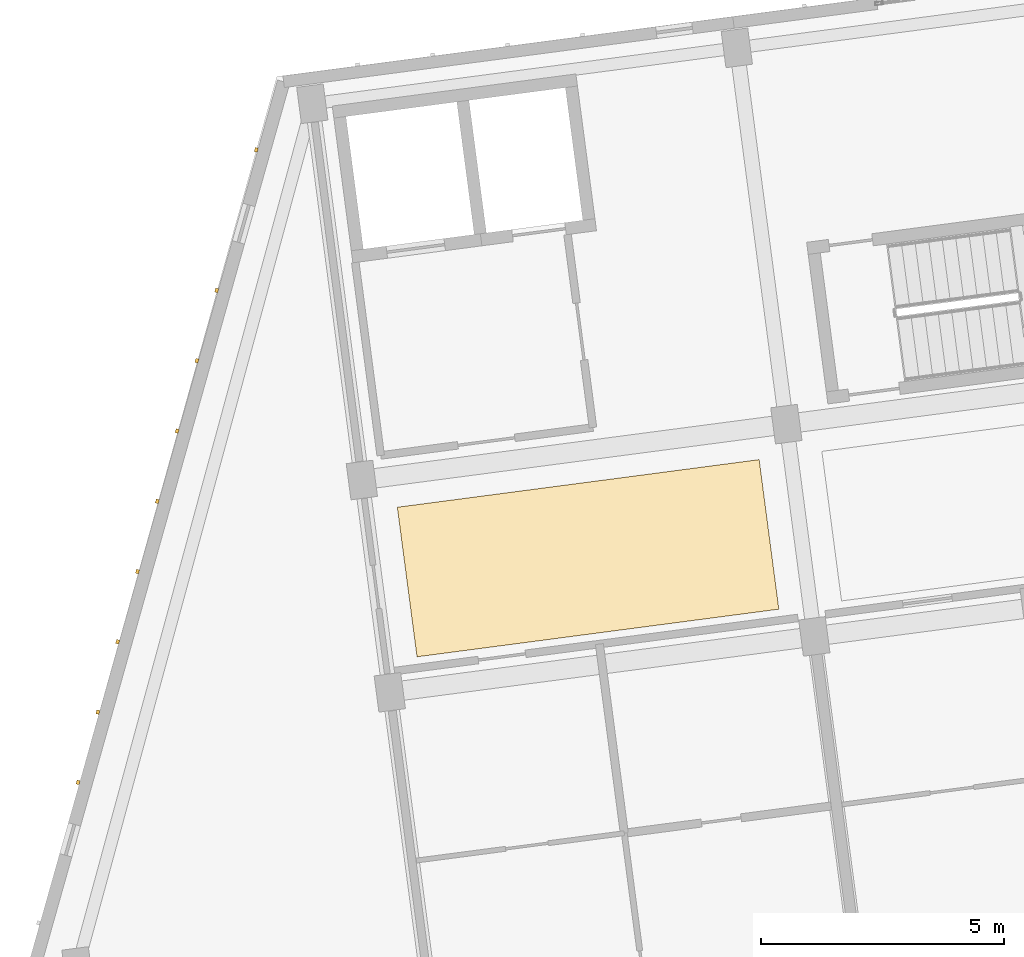
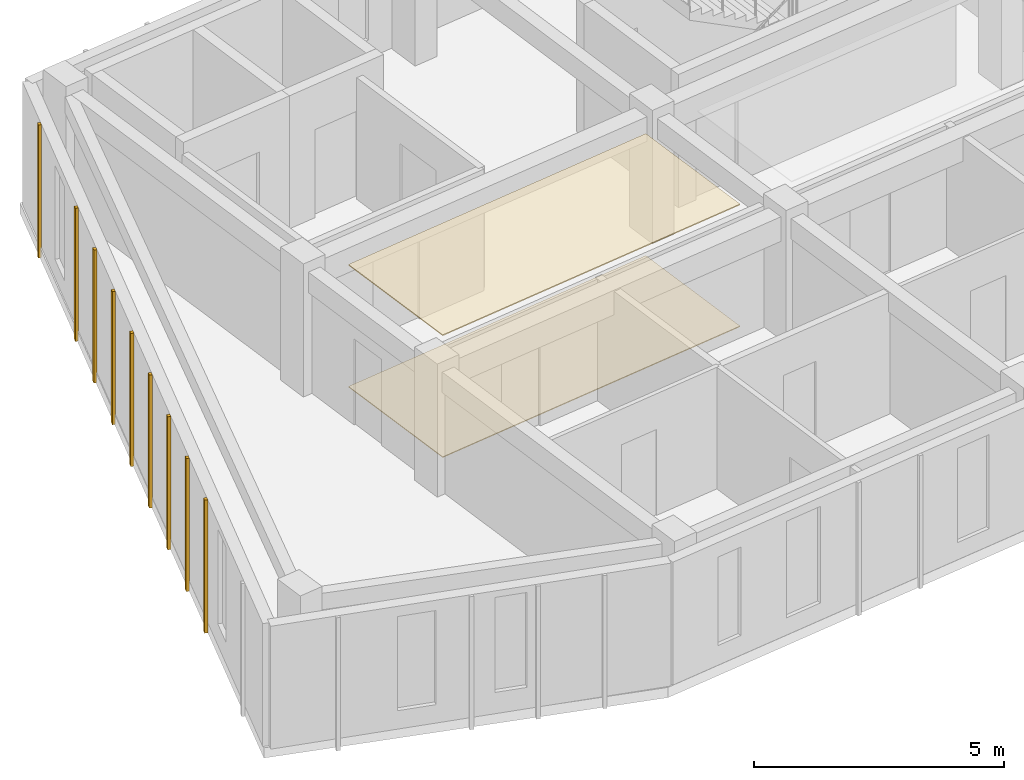
# One storey, part 55 of 74: 11 coverings.
"""IFC4 building model written with IfcOpenShell, lengths in metres."""

from ifc_helpers import new_model, si_unit, direction, frame, origin, origin_2d, place, context, subcontext, project, spatial, polyline, rectangle, outline, extrude, material, layer, layer_set, type_object, element, save


model = new_model("IFC4")

# Units and contexts
model_context = context("Model", 3, precision=1e-05, world=origin(), true_north=direction((0.0, 1.0)))
body_context = subcontext(model_context, "Body", "Model", "MODEL_VIEW")
ifc_project = project(units=[si_unit("LENGTHUNIT", "METRE"), si_unit("AREAUNIT", "SQUARE_METRE"), si_unit("VOLUMEUNIT", "CUBIC_METRE"), si_unit("PLANEANGLEUNIT", "RADIAN"), si_unit("MASSUNIT", "GRAM", prefix="KILO")], contexts=[model_context])

# Site, building, storey
site_placement = place(None, origin())
site = spatial("IfcSite", under=ifc_project, at=site_placement, CompositionType="ELEMENT")
building_placement = place(site_placement, origin())
building = spatial("IfcBuilding", under=site, at=building_placement, Name="Kestramere Prow Commons", CompositionType="ELEMENT")
storey_placement = place(building_placement, frame((0.0, 0.0, 11.64990234375)))
storey = spatial("IfcBuildingStorey", under=building, at=storey_placement, Name="L03", CompositionType="ELEMENT", Elevation=11.64990234375)

# Coverings
ifc_material_1 = material(Name="Mineral Fibre Acoustic Ceiling Tile")
ifc_layer_1 = layer(ifc_material_1, 0.02490234375)
ifc_layer_set_1 = layer_set([ifc_layer_1], Name="Mineral Fibre Acoustic Ceiling Tile")
covering_type_1 = type_object("IfcCoveringType", Name="COV-CEIL-ACOUSTIC", PredefinedType="CEILING", material=ifc_layer_set_1)
covering_1_placement = place(storey_placement, frame((0.0, 0.0, 2.97509765625)))
element("IfcCovering", 1, at=covering_1_placement, inside=storey, type_object=covering_type_1, Name="Block A L03 Corridor Acoustic Ceiling 1", PredefinedType="CEILING", context=body_context, shape_type="SweptSolid", body=[
    extrude(outline(polyline([(10.741455078125, 80.462646484375), (18.17724609375, 81.44140625), (17.772705078125, 84.514892578125), (10.3369140625, 83.5361328125), (10.741455078125, 80.462646484375)])), origin(), (0.0, 0.0, 1.0), 0.02490234375),
])
ifc_material_2 = material(Name="Weathered Zinc-Titanium Standing-Seam Cladding")
ifc_layer_2 = layer(ifc_material_2, 0.074951171875)
ifc_layer_set_2 = layer_set([ifc_layer_2], Name="Weathered Zinc-Titanium Standing-Seam Cladding")
covering_type_2 = type_object("IfcCoveringType", Name="COV-CLAD-SEAM", PredefinedType="CLADDING", material=ifc_layer_set_2)
for number, where, z_axis, x_axis, name in (
    (2, (3.775146484375, 77.8818359375, -0.25), (0.0, 0.0, 1.0), (0.271159911526, 0.962534312314, 0.0), "EW-A-L03-PRW-N Standing-Seam Rib 3"),
    (3, (4.18212890625, 79.326171875, -0.25), (0.0, 0.0, 1.0), (0.271159911526, 0.962534312314, 0.0), "EW-A-L03-PRW-N Standing-Seam Rib 4"),
    (4, (4.5888671875, 80.7705078125, -0.25), (0.0, 0.0, 1.0), (0.271159911526, 0.962534312314, 0.0), "EW-A-L03-PRW-N Standing-Seam Rib 5"),
    (5, (4.995849609375, 82.21484375, -0.25), (0.0, 0.0, 1.0), (0.271159911526, 0.962534312314, 0.0), "EW-A-L03-PRW-N Standing-Seam Rib 6"),
    (6, (5.40283203125, 83.6591796875, -0.25), (0.0, 0.0, 1.0), (0.271159911526, 0.962534312314, 0.0), "EW-A-L03-PRW-N Standing-Seam Rib 7"),
    (7, (5.8095703125, 85.103271484375, -0.25), (0.0, 0.0, 1.0), (0.271159911526, 0.962534312314, 0.0), "EW-A-L03-PRW-N Standing-Seam Rib 8"),
    (8, (6.216552734375, 86.547607421875, -0.25), (0.0, 0.0, 1.0), (0.271159911526, 0.962534312314, 0.0), "EW-A-L03-PRW-N Standing-Seam Rib 9"),
    (9, (6.623291015625, 87.991943359375, -0.25), (0.0, 0.0, 1.0), (0.271159911526, 0.962534312314, 0.0), "EW-A-L03-PRW-N Standing-Seam Rib 10"),
    (10, (7.437255859375, 90.880615234375, -0.25), (0.0, 0.0, 1.0), (0.271159911526, 0.962534312314, 0.0), "EW-A-L03-PRW-N Standing-Seam Rib 12"),
):
    element("IfcCovering", number, at=place(storey_placement, frame(where, z_axis=z_axis, x_axis=x_axis)), inside=storey, type_object=covering_type_2, Name=name, PredefinedType="CLADDING", context=body_context, shape_type="SweptSolid", body=[
        extrude(rectangle(XDim=0.0849609375, YDim=0.06494140625, at=origin_2d()), origin(), (0.0, 0.0, 1.0), 3.25),
    ])
ifc_material_3 = material(Name="Honed Cementitious Terrazzo Tile")
ifc_layer_3 = layer(ifc_material_3, 0.02001953125)
ifc_layer_set_3 = layer_set([ifc_layer_3], Name="Honed Cementitious Terrazzo Tile")
covering_type_3 = type_object("IfcCoveringType", Name="COV-FLOOR-TERRAZZO", PredefinedType="FLOORING", material=ifc_layer_set_3)
covering_2_placement = place(storey_placement, origin())
element("IfcCovering", 11, at=covering_2_placement, inside=storey, type_object=covering_type_3, Name="Block A L03 Corridor Terrazzo Flooring 1", PredefinedType="FLOORING", context=body_context, shape_type="SweptSolid", body=[
    extrude(outline(polyline([(10.741455078125, 80.462646484375), (18.17724609375, 81.44140625), (17.772705078125, 84.514892578125), (10.3369140625, 83.5361328125), (10.741455078125, 80.462646484375)])), origin(), (0.0, 0.0, 1.0), 0.02001953125),
])

save(model, "model.ifc")
